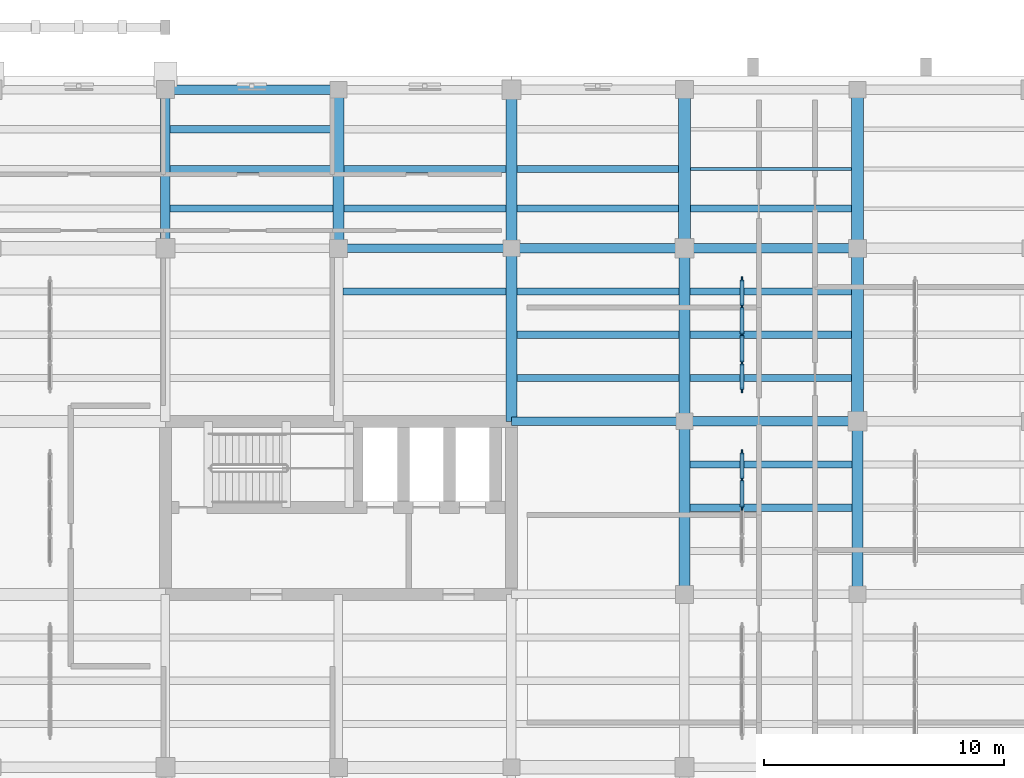
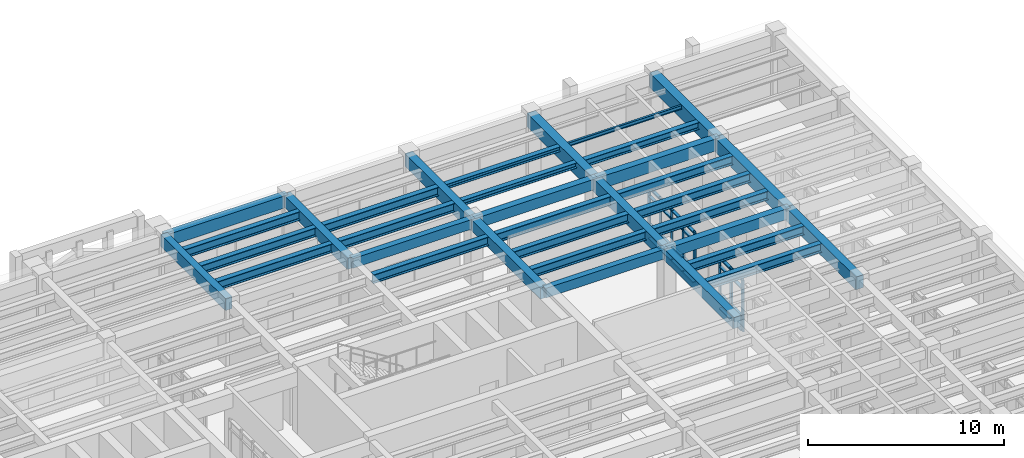
# One storey, part 33 of 76: 34 beams, 32 members, 2 elements without a shape of their own.
"""IFC4 building model written with IfcOpenShell, lengths in metres."""

from ifc_helpers import new_model, si_unit, direction, frame, origin, origin_2d, place, context, subcontext, project, spatial, rectangle, i_section, extrude, material, material_profile, profile_set, type_object, element, aggregate, save


model = new_model("IFC4")

# Units and contexts
model_context = context("Model", 3, precision=1e-05, world=origin(), true_north=direction((0.0, 1.0)))
body_context = subcontext(model_context, "Body", "Model", "MODEL_VIEW")
ifc_project = project(units=[si_unit("LENGTHUNIT", "METRE"), si_unit("AREAUNIT", "SQUARE_METRE"), si_unit("VOLUMEUNIT", "CUBIC_METRE"), si_unit("PLANEANGLEUNIT", "RADIAN"), si_unit("MASSUNIT", "GRAM", prefix="KILO")], contexts=[model_context])

# Site, building, storey
site_placement = place(None, origin())
site = spatial("IfcSite", under=ifc_project, at=site_placement, CompositionType="ELEMENT")
building_placement = place(site_placement, origin())
building = spatial("IfcBuilding", under=site, at=building_placement, Name="Mithqara Police Headquarters", CompositionType="ELEMENT")
storey_placement = place(building_placement, frame((0.0, 0.0, 5.39990234375)))
storey = spatial("IfcBuildingStorey", under=building, at=storey_placement, Name="L01", CompositionType="ELEMENT", Elevation=5.39990234375)

# Beams
ifc_material_1 = material(Name="Steel S355JR", Category="steel")
ifc_material_profile_1 = material_profile(ifc_material_1, i_section(OverallWidth=0.300048828125, OverallDepth=0.300048828125, WebThickness=0.010986328125, FlangeThickness=0.01904296875, FilletRadius=0.027099609375, at=origin_2d()), Name="HEB 300")
ifc_profile_set_1 = profile_set([ifc_material_profile_1], Name="Steel S355JR")
beam_type_1 = type_object("IfcBeamType", Name="BEAM HEB300", PredefinedType="BEAM", material=ifc_profile_set_1)
beam_1_placement = place(storey_placement, frame((144.824951171875, 110.699951171875, 3.77001953125), z_axis=(1.0, 0.0, 0.0), x_axis=(0.0, 1.0, 0.0)))
element("IfcBeam", 1, at=beam_1_placement, inside=storey, type_object=beam_type_1, Name="L01 Composite Steel Joist 21-22/R.2", PredefinedType="BEAM", context=body_context, shape_type="SweptSolid", body=[
    extrude(i_section(OverallWidth=0.300048828125, OverallDepth=0.300048828125, WebThickness=0.010986328125, FlangeThickness=0.01904296875, FilletRadius=0.027099609375, at=origin_2d()), origin(), (0.0, 0.0, 1.0), 6.72509765625),
])
ifc_material_profile_2 = material_profile(ifc_material_1, i_section(OverallWidth=0.300048828125, OverallDepth=0.449951171875, WebThickness=0.013916015625, FlangeThickness=0.02587890625, FilletRadius=0.027099609375, at=origin_2d()), Name="HEB 450")
ifc_profile_set_2 = profile_set([ifc_material_profile_2], Name="Steel S355JR")
beam_type_2 = type_object("IfcBeamType", Name="BEAM HEB450", PredefinedType="BEAM", material=ifc_profile_set_2)
beam_2_placement = place(storey_placement, frame((152.050048828125, 109.050048828125, 3.695068359375), z_axis=(1.0, 0.0, 0.0), x_axis=(0.0, 1.0, 0.0)))
element("IfcBeam", 2, at=beam_2_placement, inside=storey, type_object=beam_type_2, Name="L01 Composite Steel Joist 22-23/R.1", PredefinedType="BEAM", context=body_context, shape_type="SweptSolid", body=[
    extrude(i_section(OverallWidth=0.300048828125, OverallDepth=0.449951171875, WebThickness=0.013916015625, FlangeThickness=0.02587890625, FilletRadius=0.027099609375, at=origin_2d()), origin(), (0.0, 0.0, 1.0), 6.699951171875),
])
ifc_material_profile_3 = material_profile(ifc_material_1, i_section(OverallWidth=0.300048828125, OverallDepth=0.550048828125, WebThickness=0.014892578125, FlangeThickness=0.029052734375, FilletRadius=0.027099609375, at=origin_2d()), Name="HEB 550")
ifc_profile_set_3 = profile_set([ifc_material_profile_3], Name="Steel S355JR")
beam_type_3 = type_object("IfcBeamType", Name="BEAM HEB550", PredefinedType="BEAM", material=ifc_profile_set_3)
for number, where, z_axis, x_axis, name in (
    (3, (130.39990234375, 109.050048828125, 3.64501953125), (1.0, 0.0, 0.0), (0.0, 1.0, 0.0), "L01 Composite Steel Joist 19-20/R.1"),
    (4, (130.39990234375, 110.699951171875, 3.64501953125), (1.0, 0.0, 0.0), (0.0, 1.0, 0.0), "L01 Composite Steel Joist 19-20/R.2"),
    (5, (130.39990234375, 112.35009765625, 3.64501953125), (1.0, 0.0, 0.0), (0.0, 1.0, 0.0), "L01 Composite Steel Joist 19-20/R.3"),
):
    element("IfcBeam", number, at=place(storey_placement, frame(where, z_axis=z_axis, x_axis=x_axis)), inside=storey, type_object=beam_type_3, Name=name, PredefinedType="BEAM", context=body_context, shape_type="SweptSolid", body=[
        extrude(i_section(OverallWidth=0.300048828125, OverallDepth=0.550048828125, WebThickness=0.014892578125, FlangeThickness=0.029052734375, FilletRadius=0.027099609375, at=origin_2d()), origin(), (0.0, 0.0, 1.0), 6.775146484375),
    ])
beam_3_placement = place(storey_placement, frame((137.60009765625, 105.60009765625, 3.64501953125), z_axis=(1.0, 0.0, 0.0), x_axis=(0.0, 1.0, 0.0)))
element("IfcBeam", 6, at=beam_3_placement, inside=storey, type_object=beam_type_3, Name="L01 Composite Steel Joist 20-21/Q.3", PredefinedType="BEAM", context=body_context, shape_type="SweptSolid", body=[
    extrude(i_section(OverallWidth=0.300048828125, OverallDepth=0.550048828125, WebThickness=0.014892578125, FlangeThickness=0.029052734375, FilletRadius=0.027099609375, at=origin_2d()), origin(), (0.0, 0.0, 1.0), 6.77490234375),
])
for number, where, z_axis, x_axis, name in (
    (7, (137.625, 109.050048828125, 3.64501953125), (1.0, 0.0, 0.0), (0.0, 1.0, 0.0), "L01 Composite Steel Joist 20-21/R.1"),
    (8, (137.625, 110.699951171875, 3.64501953125), (1.0, 0.0, 0.0), (0.0, 1.0, 0.0), "L01 Composite Steel Joist 20-21/R.2"),
    (9, (144.824951171875, 102.0, 3.64501953125), (1.0, 0.0, 0.0), (0.0, 1.0, 0.0), "L01 Composite Steel Joist 21-22/Q.1"),
    (10, (144.824951171875, 103.800048828125, 3.64501953125), (1.0, 0.0, 0.0), (0.0, 1.0, 0.0), "L01 Composite Steel Joist 21-22/Q.2"),
    (11, (144.824951171875, 105.60009765625, 3.64501953125), (1.0, 0.0, 0.0), (0.0, 1.0, 0.0), "L01 Composite Steel Joist 21-22/Q.3"),
    (12, (152.02490234375, 96.60009765625, 3.64501953125), (1.0, 0.0, 0.0), (0.0, 1.0, 0.0), "L01 Composite Steel Joist 22-23/P.2"),
    (13, (152.02490234375, 98.39990234375, 3.64501953125), (1.0, 0.0, 0.0), (0.0, 1.0, 0.0), "L01 Composite Steel Joist 22-23/P.3"),
):
    element("IfcBeam", number, at=place(storey_placement, frame(where, z_axis=z_axis, x_axis=x_axis)), inside=storey, type_object=beam_type_3, Name=name, PredefinedType="BEAM", context=body_context, shape_type="SweptSolid", body=[
        extrude(i_section(OverallWidth=0.300048828125, OverallDepth=0.550048828125, WebThickness=0.014892578125, FlangeThickness=0.029052734375, FilletRadius=0.027099609375, at=origin_2d()), origin(), (0.0, 0.0, 1.0), 6.75),
    ])
for number, where, z_axis, x_axis, name in (
    (14, (152.02490234375, 102.0, 3.64501953125), (1.0, 0.0, 0.0), (0.0, 1.0, 0.0), "L01 Composite Steel Joist 22-23/Q.1"),
    (15, (152.02490234375, 103.800048828125, 3.64501953125), (1.0, 0.0, 0.0), (0.0, 1.0, 0.0), "L01 Composite Steel Joist 22-23/Q.2"),
    (16, (152.02490234375, 105.60009765625, 3.64501953125), (1.0, 0.0, 0.0), (0.0, 1.0, 0.0), "L01 Composite Steel Joist 22-23/Q.3"),
):
    element("IfcBeam", number, at=place(storey_placement, frame(where, z_axis=z_axis, x_axis=x_axis)), inside=storey, type_object=beam_type_3, Name=name, PredefinedType="BEAM", context=body_context, shape_type="SweptSolid", body=[
        extrude(i_section(OverallWidth=0.300048828125, OverallDepth=0.550048828125, WebThickness=0.014892578125, FlangeThickness=0.029052734375, FilletRadius=0.027099609375, at=origin_2d()), origin(), (0.0, 0.0, 1.0), 6.72509765625),
    ])
ifc_material_2 = material(Name="Concrete C40/50", Category="concrete")
ifc_material_profile_4 = material_profile(ifc_material_2, rectangle(XDim=0.35009765625, YDim=0.60009765625, at=origin_2d()), Name="RC 350x600")
ifc_profile_set_4 = profile_set([ifc_material_profile_4], Name="Concrete C40/50")
beam_type_4 = type_object("IfcBeamType", Name="BEAM RC350X600", PredefinedType="BEAM", material=ifc_profile_set_4)
beam_4_placement = place(storey_placement, frame((137.39990234375, 107.39990234375, 3.6201171875), z_axis=(1.0, 0.0, 0.0), x_axis=(0.0, 1.0, 0.0)))
element("IfcBeam", 17, at=beam_4_placement, inside=storey, type_object=beam_type_4, Name="L01 Girder 20-21/R", PredefinedType="BEAM", context=body_context, shape_type="SweptSolid", body=[
    extrude(rectangle(XDim=0.35009765625, YDim=0.60009765625, at=origin_2d()), origin(), (0.0, 0.0, 1.0), 7.2001953125),
])
beam_5_placement = place(storey_placement, frame((144.60009765625, 100.199951171875, 3.6201171875), z_axis=(1.0, 0.0, 0.0), x_axis=(0.0, 1.0, 0.0)))
element("IfcBeam", 18, at=beam_5_placement, inside=storey, type_object=beam_type_4, Name="L01 Girder 21-22/Q", PredefinedType="BEAM", context=body_context, shape_type="SweptSolid", body=[
    extrude(rectangle(XDim=0.35009765625, YDim=0.60009765625, at=origin_2d()), origin(), (0.0, 0.0, 1.0), 7.199951171875),
])
ifc_material_profile_5 = material_profile(ifc_material_2, rectangle(XDim=0.39990234375, YDim=0.64990234375, at=origin_2d()), Name="RC 400x650")
ifc_profile_set_5 = profile_set([ifc_material_profile_5], Name="Concrete C40/50")
beam_type_5 = type_object("IfcBeamType", Name="BEAM RC400X650", PredefinedType="BEAM", material=ifc_profile_set_5)
for number, where, z_axis, x_axis, name in (
    (19, (144.60009765625, 107.39990234375, 3.59521484375), (1.0, 0.0, 0.0), (0.0, 1.0, 0.0), "L01 Girder 21-22/R"),
    (20, (151.800048828125, 100.199951171875, 3.59521484375), (1.0, 0.0, 0.0), (0.0, 1.0, 0.0), "L01 Girder 22-23/Q"),
):
    element("IfcBeam", number, at=place(storey_placement, frame(where, z_axis=z_axis, x_axis=x_axis)), inside=storey, type_object=beam_type_5, Name=name, PredefinedType="BEAM", context=body_context, shape_type="SweptSolid", body=[
        extrude(rectangle(XDim=0.39990234375, YDim=0.64990234375, at=origin_2d()), origin(), (0.0, 0.0, 1.0), 7.199951171875),
    ])
ifc_material_profile_6 = material_profile(ifc_material_2, rectangle(XDim=0.39990234375, YDim=0.75, at=origin_2d()), Name="RC 400x750")
ifc_profile_set_6 = profile_set([ifc_material_profile_6], Name="Concrete C40/50")
beam_type_6 = type_object("IfcBeamType", Name="BEAM RC400X750", PredefinedType="BEAM", material=ifc_profile_set_6)
beam_6_placement = place(storey_placement, frame((130.199951171875, 107.39990234375, 3.545166015625), z_axis=(0.0, 1.0, 0.0), x_axis=(-1.0, 0.0, 0.0)))
element("IfcBeam", 21, at=beam_6_placement, inside=storey, type_object=beam_type_6, Name="L01 Girder 19/R-S", PredefinedType="BEAM", context=body_context, shape_type="SweptSolid", body=[
    extrude(rectangle(XDim=0.39990234375, YDim=0.75, at=origin_2d()), origin(), (0.0, 0.0, 1.0), 6.60009765625),
])
beam_7_placement = place(storey_placement, frame((151.800048828125, 107.39990234375, 3.545166015625), z_axis=(1.0, 0.0, 0.0), x_axis=(0.0, 1.0, 0.0)))
element("IfcBeam", 22, at=beam_7_placement, inside=storey, type_object=beam_type_6, Name="L01 Girder 22-23/R", PredefinedType="BEAM", context=body_context, shape_type="SweptSolid", body=[
    extrude(rectangle(XDim=0.39990234375, YDim=0.75, at=origin_2d()), origin(), (0.0, 0.0, 1.0), 7.199951171875),
])
ifc_material_profile_7 = material_profile(ifc_material_2, rectangle(XDim=0.449951171875, YDim=0.699951171875, at=origin_2d()), Name="RC 450x700")
ifc_profile_set_7 = profile_set([ifc_material_profile_7], Name="Concrete C40/50")
beam_type_7 = type_object("IfcBeamType", Name="BEAM RC450X700", PredefinedType="BEAM", material=ifc_profile_set_7)
beam_8_placement = place(storey_placement, frame((137.39990234375, 107.39990234375, 3.570068359375), z_axis=(0.0, 1.0, 0.0), x_axis=(-1.0, 0.0, 0.0)))
element("IfcBeam", 23, at=beam_8_placement, inside=storey, type_object=beam_type_7, Name="L01 Girder 20/R-S", PredefinedType="BEAM", context=body_context, shape_type="SweptSolid", body=[
    extrude(rectangle(XDim=0.449951171875, YDim=0.699951171875, at=origin_2d()), origin(), (0.0, 0.0, 1.0), 6.60009765625),
])
for number, where, z_axis, x_axis, name in (
    (24, (144.60009765625, 100.199951171875, 3.570068359375), (0.0, 1.0, 0.0), (-1.0, 0.0, 0.0), "L01 Girder 21/Q-R"),
    (25, (151.800048828125, 93.0, 3.570068359375), (0.0, 1.0, 0.0), (-1.0, 0.0, 0.0), "L01 Girder 22/P-Q"),
):
    element("IfcBeam", number, at=place(storey_placement, frame(where, z_axis=z_axis, x_axis=x_axis)), inside=storey, type_object=beam_type_7, Name=name, PredefinedType="BEAM", context=body_context, shape_type="SweptSolid", body=[
        extrude(rectangle(XDim=0.449951171875, YDim=0.699951171875, at=origin_2d()), origin(), (0.0, 0.0, 1.0), 7.199951171875),
    ])
ifc_material_profile_8 = material_profile(ifc_material_2, rectangle(XDim=0.449951171875, YDim=0.800048828125, at=origin_2d()), Name="RC 450x800")
ifc_profile_set_8 = profile_set([ifc_material_profile_8], Name="Concrete C40/50")
beam_type_8 = type_object("IfcBeamType", Name="BEAM RC450X800", PredefinedType="BEAM", material=ifc_profile_set_8)
beam_9_placement = place(storey_placement, frame((144.60009765625, 107.39990234375, 3.52001953125), z_axis=(0.0, 1.0, 0.0), x_axis=(-1.0, 0.0, 0.0)))
element("IfcBeam", 26, at=beam_9_placement, inside=storey, type_object=beam_type_8, Name="L01 Girder 21/R-S", PredefinedType="BEAM", context=body_context, shape_type="SweptSolid", body=[
    extrude(rectangle(XDim=0.449951171875, YDim=0.800048828125, at=origin_2d()), origin(), (0.0, 0.0, 1.0), 6.60009765625),
])
for number, where, z_axis, x_axis, name in (
    (27, (151.800048828125, 100.199951171875, 3.52001953125), (0.0, 1.0, 0.0), (-1.0, 0.0, 0.0), "L01 Girder 22/Q-R"),
    (28, (159.0, 93.0, 3.52001953125), (0.0, 1.0, 0.0), (-1.0, 0.0, 0.0), "L01 Girder 23/P-Q"),
):
    element("IfcBeam", number, at=place(storey_placement, frame(where, z_axis=z_axis, x_axis=x_axis)), inside=storey, type_object=beam_type_8, Name=name, PredefinedType="BEAM", context=body_context, shape_type="SweptSolid", body=[
        extrude(rectangle(XDim=0.449951171875, YDim=0.800048828125, at=origin_2d()), origin(), (0.0, 0.0, 1.0), 7.199951171875),
    ])
ifc_material_profile_9 = material_profile(ifc_material_2, rectangle(XDim=0.5, YDim=0.85009765625, at=origin_2d()), Name="RC 500x850")
ifc_profile_set_9 = profile_set([ifc_material_profile_9], Name="Concrete C40/50")
beam_type_9 = type_object("IfcBeamType", Name="BEAM RC500X850", PredefinedType="BEAM", material=ifc_profile_set_9)
beam_10_placement = place(storey_placement, frame((151.800048828125, 107.39990234375, 3.4951171875), z_axis=(0.0, 1.0, 0.0), x_axis=(-1.0, 0.0, 0.0)))
element("IfcBeam", 29, at=beam_10_placement, inside=storey, type_object=beam_type_9, Name="L01 Girder 22/R-S", PredefinedType="BEAM", context=body_context, shape_type="SweptSolid", body=[
    extrude(rectangle(XDim=0.5, YDim=0.85009765625, at=origin_2d()), origin(), (0.0, 0.0, 1.0), 6.60009765625),
])
beam_11_placement = place(storey_placement, frame((159.0, 100.199951171875, 3.4951171875), z_axis=(0.0, 1.0, 0.0), x_axis=(-1.0, 0.0, 0.0)))
element("IfcBeam", 30, at=beam_11_placement, inside=storey, type_object=beam_type_9, Name="L01 Girder 23/Q-R", PredefinedType="BEAM", context=body_context, shape_type="SweptSolid", body=[
    extrude(rectangle(XDim=0.5, YDim=0.85009765625, at=origin_2d()), origin(), (0.0, 0.0, 1.0), 7.199951171875),
])
ifc_material_3 = material(Name="Concrete C50/60", Category="concrete")
ifc_material_profile_10 = material_profile(ifc_material_3, rectangle(XDim=0.5, YDim=0.89990234375, at=origin_2d()), Name="RC 500x900")
ifc_profile_set_10 = profile_set([ifc_material_profile_10], Name="Concrete C50/60")
beam_type_10 = type_object("IfcBeamType", Name="BEAM RC500X900", PredefinedType="BEAM", material=ifc_profile_set_10)
beam_12_placement = place(storey_placement, frame((159.0, 107.39990234375, 3.47021484375), z_axis=(0.0, 1.0, 0.0), x_axis=(-1.0, 0.0, 0.0)))
element("IfcBeam", 31, at=beam_12_placement, inside=storey, type_object=beam_type_10, Name="L01 Girder 23/R-S", PredefinedType="BEAM", context=body_context, shape_type="SweptSolid", body=[
    extrude(rectangle(XDim=0.5, YDim=0.89990234375, at=origin_2d()), origin(), (0.0, 0.0, 1.0), 6.60009765625),
])

# Curtain wall, members
ifc_material_4 = material(Name="Bronze anodised aluminium 6063-T6", Category="aluminium")
curtain_wall_type = type_object("IfcCurtainWallType", Name="CURTAIN WALL 4700X3200", PredefinedType="USERDEFINED", material=ifc_material_4)
curtain_wall_1_placement = place(storey_placement, origin())
curtain_wall_1 = element("IfcCurtainWall", 32, at=curtain_wall_1_placement, inside=storey, type_object=curtain_wall_type, Name="L01 Unitised Glazing CW-15 (CW-INT-L01-X21-Y13-0)", ObjectType="UNITISED GLAZING", PredefinedType="USERDEFINED")
ifc_material_profile_11 = material_profile(ifc_material_4, rectangle(XDim=0.074951171875, YDim=0.219970703125, at=origin_2d()), Name="CWM 75x220")
ifc_profile_set_11 = profile_set([ifc_material_profile_11], Name="Bronze anodised aluminium 6063-T6")
member_type_1 = type_object("IfcMemberType", Name="CWMULLION 75X220", PredefinedType="MULLION", material=ifc_profile_set_11)
member_1_placement = place(storey_placement, frame((154.199951171875, 96.60009765625, 0.0), z_axis=(0.0, 0.0, 1.0), x_axis=(-1.0, 0.0, 0.0)))
member_1 = element("IfcMember", 33, at=member_1_placement, type_object=member_type_1, Name="CW-15 mullion 3", PredefinedType="MULLION", context=body_context, shape_type="SweptSolid", body=[
    extrude(rectangle(XDim=0.074951171875, YDim=0.219970703125, at=origin_2d()), origin(), (0.0, 0.0, 1.0), 3.2001953125),
])
member_2_placement = place(storey_placement, frame((154.199951171875, 97.77490234375, 0.0), z_axis=(0.0, 0.0, 1.0), x_axis=(-1.0, 0.0, 0.0)))
member_2 = element("IfcMember", 34, at=member_2_placement, type_object=member_type_1, Name="CW-15 mullion 4", PredefinedType="MULLION", context=body_context, shape_type="SweptSolid", body=[
    extrude(rectangle(XDim=0.074951171875, YDim=0.219970703125, at=origin_2d()), origin(), (0.0, 0.0, 1.0), 3.2001953125),
])
member_3_placement = place(storey_placement, frame((154.199951171875, 98.91259765625, 0.0), z_axis=(0.0, 0.0, 1.0), x_axis=(-1.0, 0.0, 0.0)))
member_3 = element("IfcMember", 35, at=member_3_placement, type_object=member_type_1, Name="CW-15 mullion 5", PredefinedType="MULLION", context=body_context, shape_type="SweptSolid", body=[
    extrude(rectangle(XDim=0.074951171875, YDim=0.219970703125, at=origin_2d()), origin(), (0.0, 0.0, 1.0), 3.2001953125),
])

curtain_wall_2_placement = place(storey_placement, origin())
curtain_wall_2 = element("IfcCurtainWall", 36, at=curtain_wall_2_placement, inside=storey, type_object=curtain_wall_type, Name="L01 Unitised Glazing CW-15 (CW-INT-L01-X21-Y14-0)", ObjectType="UNITISED GLAZING", PredefinedType="USERDEFINED")
member_4_placement = place(storey_placement, frame((154.199951171875, 101.487548828125, 0.0), z_axis=(0.0, 0.0, 1.0), x_axis=(-1.0, 0.0, 0.0)))
member_4 = element("IfcMember", 37, at=member_4_placement, type_object=member_type_1, Name="CW-15 mullion 1", PredefinedType="MULLION", context=body_context, shape_type="SweptSolid", body=[
    extrude(rectangle(XDim=0.074951171875, YDim=0.219970703125, at=origin_2d()), origin(), (0.0, 0.0, 1.0), 3.2001953125),
])
member_5_placement = place(storey_placement, frame((154.199951171875, 102.625, 0.0), z_axis=(0.0, 0.0, 1.0), x_axis=(-1.0, 0.0, 0.0)))
member_5 = element("IfcMember", 38, at=member_5_placement, type_object=member_type_1, Name="CW-15 mullion 2", PredefinedType="MULLION", context=body_context, shape_type="SweptSolid", body=[
    extrude(rectangle(XDim=0.074951171875, YDim=0.219970703125, at=origin_2d()), origin(), (0.0, 0.0, 1.0), 3.2001953125),
])
member_6_placement = place(storey_placement, frame((154.199951171875, 103.800048828125, 0.0), z_axis=(0.0, 0.0, 1.0), x_axis=(-1.0, 0.0, 0.0)))
member_6 = element("IfcMember", 39, at=member_6_placement, type_object=member_type_1, Name="CW-15 mullion 3", PredefinedType="MULLION", context=body_context, shape_type="SweptSolid", body=[
    extrude(rectangle(XDim=0.074951171875, YDim=0.219970703125, at=origin_2d()), origin(), (0.0, 0.0, 1.0), 3.2001953125),
])
member_7_placement = place(storey_placement, frame((154.199951171875, 104.97509765625, 0.0), z_axis=(0.0, 0.0, 1.0), x_axis=(-1.0, 0.0, 0.0)))
member_7 = element("IfcMember", 40, at=member_7_placement, type_object=member_type_1, Name="CW-15 mullion 4", PredefinedType="MULLION", context=body_context, shape_type="SweptSolid", body=[
    extrude(rectangle(XDim=0.074951171875, YDim=0.219970703125, at=origin_2d()), origin(), (0.0, 0.0, 1.0), 3.2001953125),
])
member_8_placement = place(storey_placement, frame((154.199951171875, 106.112548828125, 0.0), z_axis=(0.0, 0.0, 1.0), x_axis=(-1.0, 0.0, 0.0)))
member_8 = element("IfcMember", 41, at=member_8_placement, type_object=member_type_1, Name="CW-15 mullion 5", PredefinedType="MULLION", context=body_context, shape_type="SweptSolid", body=[
    extrude(rectangle(XDim=0.074951171875, YDim=0.219970703125, at=origin_2d()), origin(), (0.0, 0.0, 1.0), 3.2001953125),
])

# Member
ifc_material_profile_12 = material_profile(ifc_material_4, rectangle(XDim=0.179931640625, YDim=0.074951171875, at=origin_2d()), Name="CWT 180x75")
ifc_profile_set_12 = profile_set([ifc_material_profile_12], Name="Bronze anodised aluminium 6063-T6")
member_type_2 = type_object("IfcMemberType", Name="CWTRANSOM 180X75", PredefinedType="USERDEFINED", material=ifc_profile_set_12)
member_9_placement = place(storey_placement, frame((154.199951171875, 96.637451171875, 0.03759765625), z_axis=(0.0, 1.0, 0.0), x_axis=(-1.0, 0.0, 0.0)))
member_9 = element("IfcMember", 42, at=member_9_placement, type_object=member_type_2, Name="CW-15 transom 3.1", ObjectType="TRANSOM", PredefinedType="USERDEFINED", context=body_context, shape_type="SweptSolid", body=[
    extrude(rectangle(XDim=0.179931640625, YDim=0.074951171875, at=origin_2d()), origin(), (0.0, 0.0, 1.0), 1.10009765625),
])

member_10_placement = place(storey_placement, frame((154.199951171875, 96.637451171875, 0.900146484375), z_axis=(0.0, 1.0, 0.0), x_axis=(-1.0, 0.0, 0.0)))
member_10 = element("IfcMember", 43, at=member_10_placement, type_object=member_type_2, Name="CW-15 transom 3.2", ObjectType="TRANSOM", PredefinedType="USERDEFINED", context=body_context, shape_type="SweptSolid", body=[
    extrude(rectangle(XDim=0.179931640625, YDim=0.074951171875, at=origin_2d()), origin(), (0.0, 0.0, 1.0), 1.10009765625),
])

member_11_placement = place(storey_placement, frame((154.199951171875, 96.637451171875, 2.650146484375), z_axis=(0.0, 1.0, 0.0), x_axis=(-1.0, 0.0, 0.0)))
member_11 = element("IfcMember", 44, at=member_11_placement, type_object=member_type_2, Name="CW-15 transom 3.3", ObjectType="TRANSOM", PredefinedType="USERDEFINED", context=body_context, shape_type="SweptSolid", body=[
    extrude(rectangle(XDim=0.179931640625, YDim=0.074951171875, at=origin_2d()), origin(), (0.0, 0.0, 1.0), 1.10009765625),
])

member_12_placement = place(storey_placement, frame((154.199951171875, 96.637451171875, 3.16259765625), z_axis=(0.0, 1.0, 0.0), x_axis=(-1.0, 0.0, 0.0)))
member_12 = element("IfcMember", 45, at=member_12_placement, type_object=member_type_2, Name="CW-15 transom 3.4", ObjectType="TRANSOM", PredefinedType="USERDEFINED", context=body_context, shape_type="SweptSolid", body=[
    extrude(rectangle(XDim=0.179931640625, YDim=0.074951171875, at=origin_2d()), origin(), (0.0, 0.0, 1.0), 1.10009765625),
])

member_13_placement = place(storey_placement, frame((154.199951171875, 97.8125, 0.03759765625), z_axis=(0.0, 1.0, 0.0), x_axis=(-1.0, 0.0, 0.0)))
member_13 = element("IfcMember", 46, at=member_13_placement, type_object=member_type_2, Name="CW-15 transom 4.1", ObjectType="TRANSOM", PredefinedType="USERDEFINED", context=body_context, shape_type="SweptSolid", body=[
    extrude(rectangle(XDim=0.179931640625, YDim=0.074951171875, at=origin_2d()), origin(), (0.0, 0.0, 1.0), 1.0625),
])

member_14_placement = place(storey_placement, frame((154.199951171875, 97.8125, 0.900146484375), z_axis=(0.0, 1.0, 0.0), x_axis=(-1.0, 0.0, 0.0)))
member_14 = element("IfcMember", 47, at=member_14_placement, type_object=member_type_2, Name="CW-15 transom 4.2", ObjectType="TRANSOM", PredefinedType="USERDEFINED", context=body_context, shape_type="SweptSolid", body=[
    extrude(rectangle(XDim=0.179931640625, YDim=0.074951171875, at=origin_2d()), origin(), (0.0, 0.0, 1.0), 1.0625),
])

member_15_placement = place(storey_placement, frame((154.199951171875, 97.8125, 2.650146484375), z_axis=(0.0, 1.0, 0.0), x_axis=(-1.0, 0.0, 0.0)))
member_15 = element("IfcMember", 48, at=member_15_placement, type_object=member_type_2, Name="CW-15 transom 4.3", ObjectType="TRANSOM", PredefinedType="USERDEFINED", context=body_context, shape_type="SweptSolid", body=[
    extrude(rectangle(XDim=0.179931640625, YDim=0.074951171875, at=origin_2d()), origin(), (0.0, 0.0, 1.0), 1.0625),
])

member_16_placement = place(storey_placement, frame((154.199951171875, 97.8125, 3.16259765625), z_axis=(0.0, 1.0, 0.0), x_axis=(-1.0, 0.0, 0.0)))
member_16 = element("IfcMember", 49, at=member_16_placement, type_object=member_type_2, Name="CW-15 transom 4.4", ObjectType="TRANSOM", PredefinedType="USERDEFINED", context=body_context, shape_type="SweptSolid", body=[
    extrude(rectangle(XDim=0.179931640625, YDim=0.074951171875, at=origin_2d()), origin(), (0.0, 0.0, 1.0), 1.0625),
])

aggregate(curtain_wall_1, [member_1, member_2, member_3, member_9, member_10, member_11, member_12, member_13, member_14, member_15, member_16])

member_17_placement = place(storey_placement, frame((154.199951171875, 101.52490234375, 0.03759765625), z_axis=(0.0, 1.0, 0.0), x_axis=(-1.0, 0.0, 0.0)))
member_17 = element("IfcMember", 50, at=member_17_placement, type_object=member_type_2, Name="CW-15 transom 1.1", ObjectType="TRANSOM", PredefinedType="USERDEFINED", context=body_context, shape_type="SweptSolid", body=[
    extrude(rectangle(XDim=0.179931640625, YDim=0.074951171875, at=origin_2d()), origin(), (0.0, 0.0, 1.0), 1.0625),
])

member_18_placement = place(storey_placement, frame((154.199951171875, 101.52490234375, 0.900146484375), z_axis=(0.0, 1.0, 0.0), x_axis=(-1.0, 0.0, 0.0)))
member_18 = element("IfcMember", 51, at=member_18_placement, type_object=member_type_2, Name="CW-15 transom 1.2", ObjectType="TRANSOM", PredefinedType="USERDEFINED", context=body_context, shape_type="SweptSolid", body=[
    extrude(rectangle(XDim=0.179931640625, YDim=0.074951171875, at=origin_2d()), origin(), (0.0, 0.0, 1.0), 1.0625),
])

member_19_placement = place(storey_placement, frame((154.199951171875, 101.52490234375, 2.650146484375), z_axis=(0.0, 1.0, 0.0), x_axis=(-1.0, 0.0, 0.0)))
member_19 = element("IfcMember", 52, at=member_19_placement, type_object=member_type_2, Name="CW-15 transom 1.3", ObjectType="TRANSOM", PredefinedType="USERDEFINED", context=body_context, shape_type="SweptSolid", body=[
    extrude(rectangle(XDim=0.179931640625, YDim=0.074951171875, at=origin_2d()), origin(), (0.0, 0.0, 1.0), 1.0625),
])

member_20_placement = place(storey_placement, frame((154.199951171875, 101.52490234375, 3.16259765625), z_axis=(0.0, 1.0, 0.0), x_axis=(-1.0, 0.0, 0.0)))
member_20 = element("IfcMember", 53, at=member_20_placement, type_object=member_type_2, Name="CW-15 transom 1.4", ObjectType="TRANSOM", PredefinedType="USERDEFINED", context=body_context, shape_type="SweptSolid", body=[
    extrude(rectangle(XDim=0.179931640625, YDim=0.074951171875, at=origin_2d()), origin(), (0.0, 0.0, 1.0), 1.0625),
])

member_21_placement = place(storey_placement, frame((154.199951171875, 102.66259765625, 0.03759765625), z_axis=(0.0, 1.0, 0.0), x_axis=(-1.0, 0.0, 0.0)))
member_21 = element("IfcMember", 54, at=member_21_placement, type_object=member_type_2, Name="CW-15 transom 2.1", ObjectType="TRANSOM", PredefinedType="USERDEFINED", context=body_context, shape_type="SweptSolid", body=[
    extrude(rectangle(XDim=0.179931640625, YDim=0.074951171875, at=origin_2d()), origin(), (0.0, 0.0, 1.0), 1.099853515625),
])

member_22_placement = place(storey_placement, frame((154.199951171875, 102.66259765625, 0.900146484375), z_axis=(0.0, 1.0, 0.0), x_axis=(-1.0, 0.0, 0.0)))
member_22 = element("IfcMember", 55, at=member_22_placement, type_object=member_type_2, Name="CW-15 transom 2.2", ObjectType="TRANSOM", PredefinedType="USERDEFINED", context=body_context, shape_type="SweptSolid", body=[
    extrude(rectangle(XDim=0.179931640625, YDim=0.074951171875, at=origin_2d()), origin(), (0.0, 0.0, 1.0), 1.099853515625),
])

member_23_placement = place(storey_placement, frame((154.199951171875, 102.66259765625, 2.650146484375), z_axis=(0.0, 1.0, 0.0), x_axis=(-1.0, 0.0, 0.0)))
member_23 = element("IfcMember", 56, at=member_23_placement, type_object=member_type_2, Name="CW-15 transom 2.3", ObjectType="TRANSOM", PredefinedType="USERDEFINED", context=body_context, shape_type="SweptSolid", body=[
    extrude(rectangle(XDim=0.179931640625, YDim=0.074951171875, at=origin_2d()), origin(), (0.0, 0.0, 1.0), 1.099853515625),
])

member_24_placement = place(storey_placement, frame((154.199951171875, 102.66259765625, 3.16259765625), z_axis=(0.0, 1.0, 0.0), x_axis=(-1.0, 0.0, 0.0)))
member_24 = element("IfcMember", 57, at=member_24_placement, type_object=member_type_2, Name="CW-15 transom 2.4", ObjectType="TRANSOM", PredefinedType="USERDEFINED", context=body_context, shape_type="SweptSolid", body=[
    extrude(rectangle(XDim=0.179931640625, YDim=0.074951171875, at=origin_2d()), origin(), (0.0, 0.0, 1.0), 1.099853515625),
])

member_25_placement = place(storey_placement, frame((154.199951171875, 103.83740234375, 0.03759765625), z_axis=(0.0, 1.0, 0.0), x_axis=(-1.0, 0.0, 0.0)))
member_25 = element("IfcMember", 58, at=member_25_placement, type_object=member_type_2, Name="CW-15 transom 3.1", ObjectType="TRANSOM", PredefinedType="USERDEFINED", context=body_context, shape_type="SweptSolid", body=[
    extrude(rectangle(XDim=0.179931640625, YDim=0.074951171875, at=origin_2d()), origin(), (0.0, 0.0, 1.0), 1.10009765625),
])

member_26_placement = place(storey_placement, frame((154.199951171875, 103.83740234375, 0.900146484375), z_axis=(0.0, 1.0, 0.0), x_axis=(-1.0, 0.0, 0.0)))
member_26 = element("IfcMember", 59, at=member_26_placement, type_object=member_type_2, Name="CW-15 transom 3.2", ObjectType="TRANSOM", PredefinedType="USERDEFINED", context=body_context, shape_type="SweptSolid", body=[
    extrude(rectangle(XDim=0.179931640625, YDim=0.074951171875, at=origin_2d()), origin(), (0.0, 0.0, 1.0), 1.10009765625),
])

member_27_placement = place(storey_placement, frame((154.199951171875, 103.83740234375, 2.650146484375), z_axis=(0.0, 1.0, 0.0), x_axis=(-1.0, 0.0, 0.0)))
member_27 = element("IfcMember", 60, at=member_27_placement, type_object=member_type_2, Name="CW-15 transom 3.3", ObjectType="TRANSOM", PredefinedType="USERDEFINED", context=body_context, shape_type="SweptSolid", body=[
    extrude(rectangle(XDim=0.179931640625, YDim=0.074951171875, at=origin_2d()), origin(), (0.0, 0.0, 1.0), 1.10009765625),
])

member_28_placement = place(storey_placement, frame((154.199951171875, 103.83740234375, 3.16259765625), z_axis=(0.0, 1.0, 0.0), x_axis=(-1.0, 0.0, 0.0)))
member_28 = element("IfcMember", 61, at=member_28_placement, type_object=member_type_2, Name="CW-15 transom 3.4", ObjectType="TRANSOM", PredefinedType="USERDEFINED", context=body_context, shape_type="SweptSolid", body=[
    extrude(rectangle(XDim=0.179931640625, YDim=0.074951171875, at=origin_2d()), origin(), (0.0, 0.0, 1.0), 1.10009765625),
])

member_29_placement = place(storey_placement, frame((154.199951171875, 105.012451171875, 0.03759765625), z_axis=(0.0, 1.0, 0.0), x_axis=(-1.0, 0.0, 0.0)))
member_29 = element("IfcMember", 62, at=member_29_placement, type_object=member_type_2, Name="CW-15 transom 4.1", ObjectType="TRANSOM", PredefinedType="USERDEFINED", context=body_context, shape_type="SweptSolid", body=[
    extrude(rectangle(XDim=0.179931640625, YDim=0.074951171875, at=origin_2d()), origin(), (0.0, 0.0, 1.0), 1.0625),
])

member_30_placement = place(storey_placement, frame((154.199951171875, 105.012451171875, 0.900146484375), z_axis=(0.0, 1.0, 0.0), x_axis=(-1.0, 0.0, 0.0)))
member_30 = element("IfcMember", 63, at=member_30_placement, type_object=member_type_2, Name="CW-15 transom 4.2", ObjectType="TRANSOM", PredefinedType="USERDEFINED", context=body_context, shape_type="SweptSolid", body=[
    extrude(rectangle(XDim=0.179931640625, YDim=0.074951171875, at=origin_2d()), origin(), (0.0, 0.0, 1.0), 1.0625),
])

member_31_placement = place(storey_placement, frame((154.199951171875, 105.012451171875, 2.650146484375), z_axis=(0.0, 1.0, 0.0), x_axis=(-1.0, 0.0, 0.0)))
member_31 = element("IfcMember", 64, at=member_31_placement, type_object=member_type_2, Name="CW-15 transom 4.3", ObjectType="TRANSOM", PredefinedType="USERDEFINED", context=body_context, shape_type="SweptSolid", body=[
    extrude(rectangle(XDim=0.179931640625, YDim=0.074951171875, at=origin_2d()), origin(), (0.0, 0.0, 1.0), 1.0625),
])

member_32_placement = place(storey_placement, frame((154.199951171875, 105.012451171875, 3.16259765625), z_axis=(0.0, 1.0, 0.0), x_axis=(-1.0, 0.0, 0.0)))
member_32 = element("IfcMember", 65, at=member_32_placement, type_object=member_type_2, Name="CW-15 transom 4.4", ObjectType="TRANSOM", PredefinedType="USERDEFINED", context=body_context, shape_type="SweptSolid", body=[
    extrude(rectangle(XDim=0.179931640625, YDim=0.074951171875, at=origin_2d()), origin(), (0.0, 0.0, 1.0), 1.0625),
])

aggregate(curtain_wall_2, [member_4, member_5, member_6, member_7, member_8, member_17, member_18, member_19, member_20, member_21, member_22, member_23, member_24, member_25, member_26, member_27, member_28, member_29, member_30, member_31, member_32])

# Beams
ifc_material_profile_13 = material_profile(ifc_material_1, i_section(OverallWidth=0.300048828125, OverallDepth=0.330078125, WebThickness=0.009521484375, FlangeThickness=0.0166015625, FilletRadius=0.027099609375, at=origin_2d()), Name="HEA 340")
ifc_profile_set_13 = profile_set([ifc_material_profile_13], Name="Steel S355JR")
beam_type_11 = type_object("IfcBeamType", Name="JOIST HEA340", PredefinedType="JOIST", material=ifc_profile_set_13)
beam_13_placement = place(storey_placement, frame((144.824951171875, 109.050048828125, 3.755126953125), z_axis=(1.0, 0.0, 0.0), x_axis=(0.0, 1.0, 0.0)))
element("IfcBeam", 66, at=beam_13_placement, inside=storey, type_object=beam_type_11, Name="L01 Composite Steel Joist 21-22/R.1", PredefinedType="JOIST", context=body_context, shape_type="SweptSolid", body=[
    extrude(i_section(OverallWidth=0.300048828125, OverallDepth=0.330078125, WebThickness=0.009521484375, FlangeThickness=0.0166015625, FilletRadius=0.027099609375, at=origin_2d()), origin(), (0.0, 0.0, 1.0), 6.72509765625),
])
ifc_material_profile_14 = material_profile(ifc_material_1, i_section(OverallWidth=0.1201171875, OverallDepth=0.239990234375, WebThickness=0.006103515625, FlangeThickness=0.009765625, FilletRadius=0.014892578125, at=origin_2d()), Name="IPE 240")
ifc_profile_set_14 = profile_set([ifc_material_profile_14], Name="Steel S355JR")
beam_type_12 = type_object("IfcBeamType", Name="JOIST IPE240", PredefinedType="JOIST", material=ifc_profile_set_14)
beam_14_placement = place(storey_placement, frame((152.050048828125, 110.699951171875, 3.800048828125), z_axis=(1.0, 0.0, 0.0), x_axis=(0.0, 1.0, 0.0)))
element("IfcBeam", 67, at=beam_14_placement, inside=storey, type_object=beam_type_12, Name="L01 Composite Steel Joist 22-23/R.2", PredefinedType="JOIST", context=body_context, shape_type="SweptSolid", body=[
    extrude(i_section(OverallWidth=0.1201171875, OverallDepth=0.239990234375, WebThickness=0.006103515625, FlangeThickness=0.009765625, FilletRadius=0.014892578125, at=origin_2d()), origin(), (0.0, 0.0, 1.0), 6.699951171875),
])
ifc_material_profile_15 = material_profile(ifc_material_2, rectangle(XDim=0.39990234375, YDim=0.75, at=origin_2d()), Name="SPB 400x750")
ifc_profile_set_15 = profile_set([ifc_material_profile_15], Name="Concrete C40/50")
beam_type_13 = type_object("IfcBeamType", Name="SPANDREL 400X750", PredefinedType="SPANDREL", material=ifc_profile_set_15)
beam_15_placement = place(storey_placement, frame((130.199951171875, 114.0, 3.545166015625), z_axis=(1.0, 0.0, 0.0), x_axis=(0.0, 1.0, 0.0)))
element("IfcBeam", 68, at=beam_15_placement, inside=storey, type_object=beam_type_13, Name="L01 Girder 19-20/S", PredefinedType="SPANDREL", context=body_context, shape_type="SweptSolid", body=[
    extrude(rectangle(XDim=0.39990234375, YDim=0.75, at=origin_2d()), origin(), (0.0, 0.0, 1.0), 7.199951171875),
])

save(model, "model.ifc")
